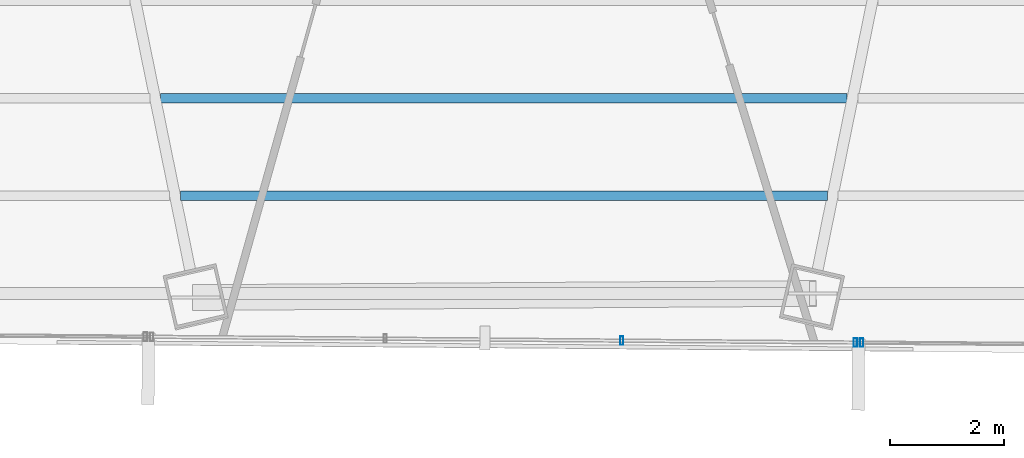
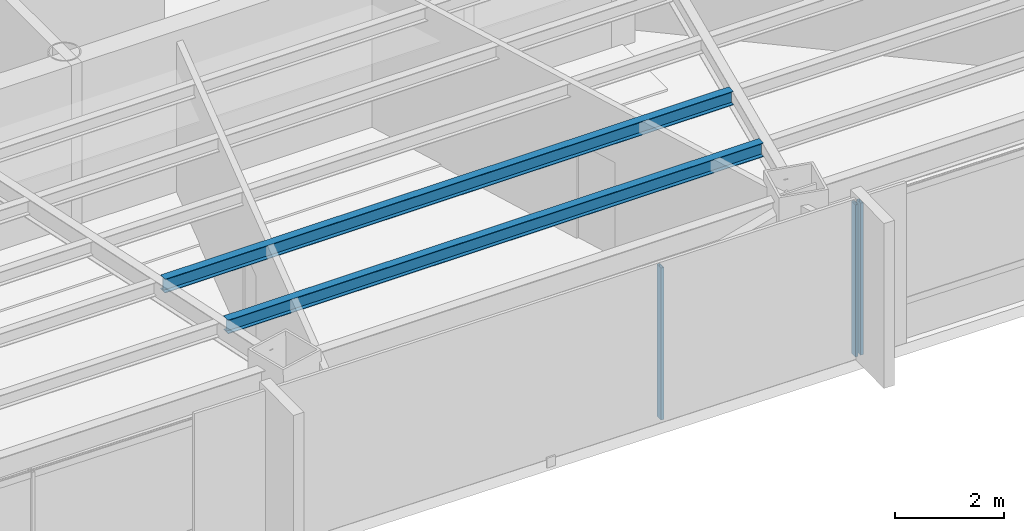
# One storey, part 10 of 39: 3 members, 2 beams, 2 elements without a shape of their own.
"""IFC4 building model written with IfcOpenShell, lengths in metres."""

from ifc_helpers import new_model, si_unit, direction, frame, origin, origin_2d, place, context, subcontext, project, spatial, hollow_rectangle, i_section, extrude, source, transform, mapped, material, material_profile, profile_set, type_object, type_shapes, element, aggregate, save


model = new_model("IFC4")

# Units and contexts
model_context = context("Model", 3, precision=1e-05, world=origin(), true_north=direction((0.0, 1.0)))
body_context = subcontext(model_context, "Body", "Model", "MODEL_VIEW")
ifc_project = project(units=[si_unit("LENGTHUNIT", "METRE"), si_unit("AREAUNIT", "SQUARE_METRE"), si_unit("VOLUMEUNIT", "CUBIC_METRE"), si_unit("PLANEANGLEUNIT", "RADIAN"), si_unit("MASSUNIT", "GRAM", prefix="KILO")], contexts=[model_context])

# Site, building, storey
site_placement = place(None, origin())
site = spatial("IfcSite", under=ifc_project, at=site_placement, CompositionType="ELEMENT")
building_placement = place(site_placement, origin())
building = spatial("IfcBuilding", under=site, at=building_placement, Name="Caelisora Broadcast Tower", CompositionType="ELEMENT")
storey_placement = place(building_placement, frame((0.0, 0.0, 142.75)))
storey = spatial("IfcBuildingStorey", under=building, at=storey_placement, Name="L37", CompositionType="ELEMENT", Elevation=142.75)

# Beams
ifc_material_1 = material(Name="Steel Grade 350 (AS/NZS 3679.1)", Category="steel")
ifc_material_profile_1 = material_profile(ifc_material_1, i_section(OverallWidth=0.166015625, OverallDepth=0.30712890625, WebThickness=0.006591796875, FlangeThickness=0.01171875, at=origin_2d()), Name="Steel Grade 350 (AS/NZS 3679.1)")
ifc_profile_set_1 = profile_set([ifc_material_profile_1], Name="Steel Grade 350 (AS/NZS 3679.1)")
beam_type = type_object("IfcBeamType", Name="SB03", PredefinedType="JOIST", material=ifc_profile_set_1)
shared_shape_1 = source(origin(), body_context, "Body", "SweptSolid", [
    extrude(i_section(OverallWidth=0.166015625, OverallDepth=0.30712890625, WebThickness=0.006591796875, FlangeThickness=0.01171875, at=origin_2d()), origin(), (0.0, 0.0, 1.0), 12.025390625),
])
beam_1_placement = place(storey_placement, frame((31.9873046875, 10.568603515625, 3.246337890625), z_axis=(1.0, 0.0, 0.0), x_axis=(0.0, 1.0, 0.0)))
element("IfcBeam", 1, at=beam_1_placement, inside=storey, type_object=beam_type, Name="L37 beam SB03", PredefinedType="JOIST", context=body_context, shape_type="MappedRepresentation", body=[
    mapped(shared_shape_1, transform((0.0, 0.0, 0.0), scale=1.0)),
])
shared_shape_2 = source(origin(), body_context, "Body", "SweptSolid", [
    extrude(i_section(OverallWidth=0.166015625, OverallDepth=0.30712890625, WebThickness=0.006591796875, FlangeThickness=0.01171875, at=origin_2d()), origin(), (0.0, 0.0, 1.0), 11.3291015625),
])
type_shapes(beam_type, [shared_shape_1, shared_shape_2])
beam_2_placement = place(storey_placement, frame((32.33544921875, 8.86083984375, 3.246337890625), z_axis=(1.0, 0.0, 0.0), x_axis=(0.0, 1.0, 0.0)))
element("IfcBeam", 2, at=beam_2_placement, inside=storey, type_object=beam_type, Name="L37 beam SB03", PredefinedType="JOIST", context=body_context, shape_type="MappedRepresentation", body=[
    mapped(shared_shape_2, transform((0.0, 0.0, 0.0), scale=1.0)),
])

# Curtain wall, member
ifc_material_2 = material(Name="Unitised Aluminium and Low-E Glass Curtain Wall", Category="glass")
curtain_wall_type_1 = type_object("IfcCurtainWallType", Name="CW-Z3", PredefinedType="NOTDEFINED", material=ifc_material_2)
curtain_wall_1_placement = place(storey_placement, origin())
curtain_wall_1 = element("IfcCurtainWall", 3, at=curtain_wall_1_placement, inside=storey, type_object=curtain_wall_type_1, Name="L37 curtain wall CW-Z3", PredefinedType="NOTDEFINED")
ifc_material_3 = material(Name="Aluminium 6063-T6 Anodised Terracotta Bronze", Category="aluminium")
ifc_material_profile_2 = material_profile(ifc_material_3, hollow_rectangle(XDim=0.06005859375, YDim=0.14990234375, WallThickness=0.00341796875, at=origin_2d()), Name="Aluminium 6063-T6 Anodised Terracotta Bronze")
ifc_profile_set_2 = profile_set([ifc_material_profile_2], Name="Aluminium 6063-T6 Anodised Terracotta Bronze")
member_type = type_object("IfcMemberType", Name="CWM-03", PredefinedType="MULLION", material=ifc_profile_set_2)
shared_shape_3 = source(origin(), body_context, "Body", "SweptSolid", [
    extrude(hollow_rectangle(XDim=0.06005859375, YDim=0.14990234375, WallThickness=0.00341796875, at=origin_2d()), origin(), (0.0, 0.0, 1.0), 3.39990234375),
])
type_shapes(member_type, [shared_shape_3])
member_1_placement = place(storey_placement, frame((44.26806640625, 6.2919921875, 0.0), z_axis=(0.0, 0.0, 1.0), x_axis=(1.0, 0.0, 0.0)))
member_1 = element("IfcMember", 4, at=member_1_placement, type_object=member_type, Name="L37-CW-B05 mullion #3", PredefinedType="MULLION", context=body_context, shape_type="MappedRepresentation", body=[
    mapped(shared_shape_3, transform((0.0, 0.0, 0.0), scale=1.0)),
])
aggregate(curtain_wall_1, [member_1])

# Curtain wall, members
ifc_material_4 = material(Name="Unitised Aluminium Insulated Shadow-Box Spandrel Curtain Wall", Category="aluminium")
curtain_wall_type_2 = type_object("IfcCurtainWallType", Name="CW-SP2", PredefinedType="NOTDEFINED", material=ifc_material_4)
curtain_wall_2_placement = place(storey_placement, origin())
curtain_wall_2 = element("IfcCurtainWall", 5, at=curtain_wall_2_placement, inside=storey, type_object=curtain_wall_type_2, Name="L37 curtain wall CW-SP2", PredefinedType="NOTDEFINED")
member_2_placement = place(storey_placement, frame((44.157958984375, 6.292724609375, 0.0), z_axis=(0.0, 0.0, 1.0), x_axis=(1.0, 0.0, 0.0)))
member_2 = element("IfcMember", 6, at=member_2_placement, type_object=member_type, Name="L37-CW-B06 mullion #0", PredefinedType="MULLION", context=body_context, shape_type="MappedRepresentation", body=[
    mapped(shared_shape_3, transform((0.0, 0.0, 0.0), scale=1.0)),
])
member_3_placement = place(storey_placement, frame((40.065185546875, 6.326416015625, 0.0), z_axis=(0.0, 0.0, 1.0), x_axis=(1.0, 0.0, 0.0)))
member_3 = element("IfcMember", 7, at=member_3_placement, type_object=member_type, Name="L37-CW-B06 mullion #1", PredefinedType="MULLION", context=body_context, shape_type="MappedRepresentation", body=[
    mapped(shared_shape_3, transform((0.0, 0.0, 0.0), scale=1.0)),
])
aggregate(curtain_wall_2, [member_2, member_3])

save(model, "model.ifc")
